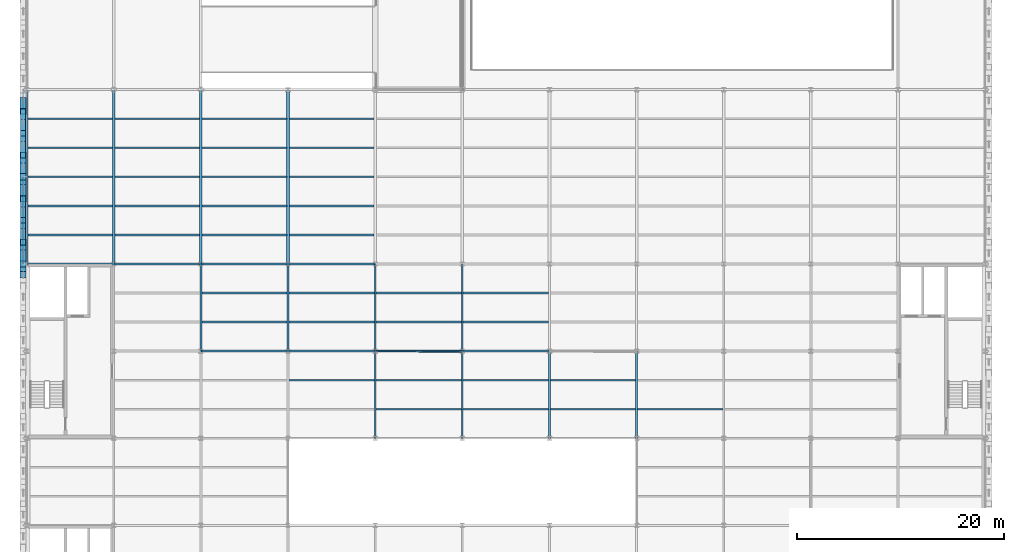
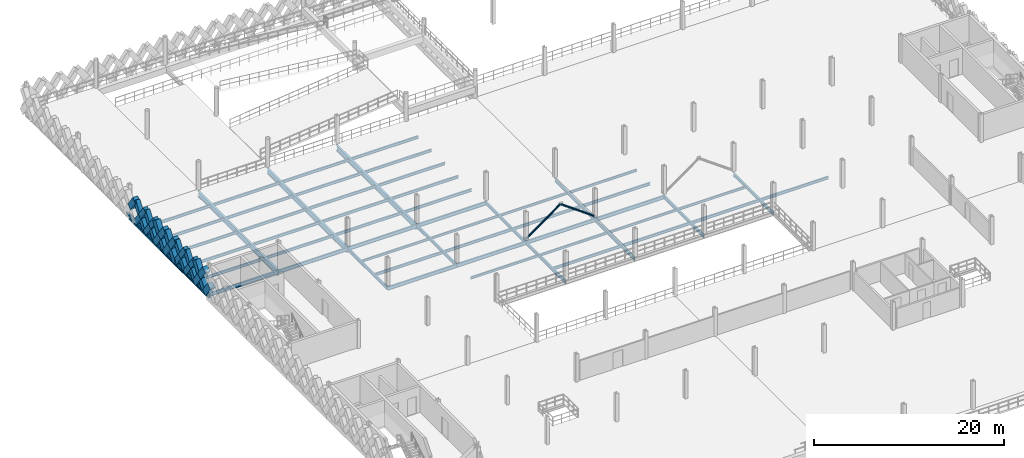
# One storey, part 28 of 79: 56 beams, 27 members.
"""IFC4 building model written with IfcOpenShell, lengths in metres."""

from ifc_helpers import new_model, si_unit, direction, frame, origin, origin_2d, place, context, subcontext, project, spatial, rectangle, hollow_rectangle, hollow_circle, i_section, extrude, material, material_profile, profile_set, type_object, element, save


model = new_model("IFC4")

# Units and contexts
model_context = context("Model", 3, precision=1e-05, world=origin(), true_north=direction((0.0, 1.0)))
body_context = subcontext(model_context, "Body", "Model", "MODEL_VIEW")
ifc_project = project(units=[si_unit("LENGTHUNIT", "METRE"), si_unit("AREAUNIT", "SQUARE_METRE"), si_unit("VOLUMEUNIT", "CUBIC_METRE"), si_unit("PLANEANGLEUNIT", "RADIAN"), si_unit("MASSUNIT", "GRAM", prefix="KILO"), si_unit("THERMODYNAMICTEMPERATUREUNIT", "KELVIN"), si_unit("POWERUNIT", "WATT")], contexts=[model_context])

# Site, building, storey
site_placement = place(None, origin())
site = spatial("IfcSite", under=ifc_project, at=site_placement, CompositionType="ELEMENT")
building_placement = place(site_placement, origin())
building = spatial("IfcBuilding", under=site, at=building_placement, Name="Tembeka Court Mobility Hub", CompositionType="ELEMENT")
storey_placement = place(building_placement, frame((0.0, 0.0, 9.0)))
storey = spatial("IfcBuildingStorey", under=building, at=storey_placement, Name="L02", CompositionType="ELEMENT", Elevation=9.0)

# Beams
ifc_material_1 = material(Name="Steel S355", Category="steel")
ifc_material_profile_1 = material_profile(ifc_material_1, i_section(OverallWidth=0.18994140625, OverallDepth=0.45703125, WebThickness=0.009033203125, FlangeThickness=0.014404296875, FilletRadius=0.01025390625, at=origin_2d()), Name="UKB 457x191x74")
ifc_profile_set_1 = profile_set([ifc_material_profile_1], Name="Steel S355")
beam_type_1 = type_object("IfcBeamType", Name="BM-B01", PredefinedType="BEAM", material=ifc_profile_set_1)
beam_1_placement = place(storey_placement, frame((16.800048828125, 72.0, -0.448486328125), z_axis=(1.0, 0.0, 0.0), x_axis=(0.0, 1.0, 0.0)))
element("IfcBeam", 1, at=beam_1_placement, inside=storey, type_object=beam_type_1, Name="Beam B01 (BM-L02-X1264)", PredefinedType="BEAM", context=body_context, shape_type="SweptSolid", body=[
    extrude(i_section(OverallWidth=0.18994140625, OverallDepth=0.45703125, WebThickness=0.009033203125, FlangeThickness=0.014404296875, FilletRadius=0.01025390625, at=origin_2d()), origin(), (0.0, 0.0, 1.0), 8.39990234375),
])
beam_2_placement = place(storey_placement, frame((25.199951171875, 72.0, -0.448486328125), z_axis=(1.0, 0.0, 0.0), x_axis=(0.0, 1.0, 0.0)))
element("IfcBeam", 2, at=beam_2_placement, inside=storey, type_object=beam_type_1, Name="Beam B01 (BM-L02-X1265)", PredefinedType="BEAM", context=body_context, shape_type="SweptSolid", body=[
    extrude(i_section(OverallWidth=0.18994140625, OverallDepth=0.45703125, WebThickness=0.009033203125, FlangeThickness=0.014404296875, FilletRadius=0.01025390625, at=origin_2d()), origin(), (0.0, 0.0, 1.0), 8.400146484375),
])
for number, where, z_axis, x_axis, name in (
    (3, (33.60009765625, 72.0, -0.448486328125), (1.0, 0.0, 0.0), (0.0, 1.0, 0.0), "Beam B01 (BM-L02-X1266)"),
    (4, (42.0, 72.0, -0.448486328125), (1.0, 0.0, 0.0), (0.0, 1.0, 0.0), "Beam B01 (BM-L02-X1267)"),
    (5, (0.0, 80.39990234375, -0.448486328125), (1.0, 0.0, 0.0), (0.0, 1.0, 0.0), "Beam B01 (BM-L02-X1272)"),
):
    element("IfcBeam", number, at=place(storey_placement, frame(where, z_axis=z_axis, x_axis=x_axis)), inside=storey, type_object=beam_type_1, Name=name, PredefinedType="BEAM", context=body_context, shape_type="SweptSolid", body=[
        extrude(i_section(OverallWidth=0.18994140625, OverallDepth=0.45703125, WebThickness=0.009033203125, FlangeThickness=0.014404296875, FilletRadius=0.01025390625, at=origin_2d()), origin(), (0.0, 0.0, 1.0), 8.39990234375),
    ])
beam_3_placement = place(storey_placement, frame((8.39990234375, 80.39990234375, -0.448486328125), z_axis=(1.0, 0.0, 0.0), x_axis=(0.0, 1.0, 0.0)))
element("IfcBeam", 6, at=beam_3_placement, inside=storey, type_object=beam_type_1, Name="Beam B01 (BM-L02-X1273)", PredefinedType="BEAM", context=body_context, shape_type="SweptSolid", body=[
    extrude(i_section(OverallWidth=0.18994140625, OverallDepth=0.45703125, WebThickness=0.009033203125, FlangeThickness=0.014404296875, FilletRadius=0.01025390625, at=origin_2d()), origin(), (0.0, 0.0, 1.0), 8.400146484375),
])
beam_4_placement = place(storey_placement, frame((16.800048828125, 80.39990234375, -0.448486328125), z_axis=(1.0, 0.0, 0.0), x_axis=(0.0, 1.0, 0.0)))
element("IfcBeam", 7, at=beam_4_placement, inside=storey, type_object=beam_type_1, Name="Beam B01 (BM-L02-X1274)", PredefinedType="BEAM", context=body_context, shape_type="SweptSolid", body=[
    extrude(i_section(OverallWidth=0.18994140625, OverallDepth=0.45703125, WebThickness=0.009033203125, FlangeThickness=0.014404296875, FilletRadius=0.01025390625, at=origin_2d()), origin(), (0.0, 0.0, 1.0), 8.39990234375),
])
beam_5_placement = place(storey_placement, frame((25.199951171875, 80.39990234375, -0.448486328125), z_axis=(1.0, 0.0, 0.0), x_axis=(0.0, 1.0, 0.0)))
element("IfcBeam", 8, at=beam_5_placement, inside=storey, type_object=beam_type_1, Name="Beam B01 (BM-L02-X1275)", PredefinedType="BEAM", context=body_context, shape_type="SweptSolid", body=[
    extrude(i_section(OverallWidth=0.18994140625, OverallDepth=0.45703125, WebThickness=0.009033203125, FlangeThickness=0.014404296875, FilletRadius=0.01025390625, at=origin_2d()), origin(), (0.0, 0.0, 1.0), 8.400146484375),
])
ifc_material_profile_2 = material_profile(ifc_material_1, i_section(OverallWidth=0.177978515625, OverallDepth=0.406005859375, WebThickness=0.0078125, FlangeThickness=0.0126953125, FilletRadius=0.01025390625, at=origin_2d()), Name="UKB 406x178x60")
ifc_profile_set_2 = profile_set([ifc_material_profile_2], Name="Steel S355")
beam_type_2 = type_object("IfcBeamType", Name="BM-B02", PredefinedType="BEAM", material=ifc_profile_set_2)
for number, where, z_axis, x_axis, name in (
    (9, (16.800048828125, 72.0, -0.423095703125), (0.0, 1.0, 0.0), (-1.0, 0.0, 0.0), "Beam B02 (BM-L02-Y1336)"),
    (10, (25.199951171875, 72.0, -0.423095703125), (0.0, 1.0, 0.0), (-1.0, 0.0, 0.0), "Beam B02 (BM-L02-Y1345)"),
    (11, (33.60009765625, 63.60009765625, -0.423095703125), (0.0, 1.0, 0.0), (-1.0, 0.0, 0.0), "Beam B02 (BM-L02-Y1350)"),
    (12, (33.60009765625, 72.0, -0.423095703125), (0.0, 1.0, 0.0), (-1.0, 0.0, 0.0), "Beam B02 (BM-L02-Y1351)"),
    (13, (42.0, 63.60009765625, -0.423095703125), (0.0, 1.0, 0.0), (-1.0, 0.0, 0.0), "Beam B02 (BM-L02-Y1358)"),
    (14, (42.0, 72.0, -0.423095703125), (0.0, 1.0, 0.0), (-1.0, 0.0, 0.0), "Beam B02 (BM-L02-Y1359)"),
    (15, (50.39990234375, 63.60009765625, -0.423095703125), (0.0, 1.0, 0.0), (-1.0, 0.0, 0.0), "Beam B02 (BM-L02-Y1366)"),
    (16, (58.800048828125, 63.60009765625, -0.423095703125), (0.0, 1.0, 0.0), (-1.0, 0.0, 0.0), "Beam B02 (BM-L02-Y1373)"),
):
    element("IfcBeam", number, at=place(storey_placement, frame(where, z_axis=z_axis, x_axis=x_axis)), inside=storey, type_object=beam_type_2, Name=name, PredefinedType="BEAM", context=body_context, shape_type="SweptSolid", body=[
        extrude(i_section(OverallWidth=0.177978515625, OverallDepth=0.406005859375, WebThickness=0.0078125, FlangeThickness=0.0126953125, FilletRadius=0.01025390625, at=origin_2d()), origin(), (0.0, 0.0, 1.0), 8.39990234375),
    ])
ifc_material_profile_3 = material_profile(ifc_material_1, i_section(OverallWidth=0.25390625, OverallDepth=0.68408203125, WebThickness=0.012451171875, FlangeThickness=0.01904296875, FilletRadius=0.01513671875, at=origin_2d()), Name="UKB 686x254x140")
ifc_profile_set_3 = profile_set([ifc_material_profile_3], Name="Steel S355")
beam_type_3 = type_object("IfcBeamType", Name="BM-G01", PredefinedType="USERDEFINED", material=ifc_profile_set_3)
for number, where, z_axis, x_axis, name in (
    (17, (0.0, 80.39990234375, -0.56201171875), (0.0, 1.0, 0.0), (-1.0, 0.0, 0.0), "Beam G01 (BM-L02-Y1315)"),
    (18, (8.39990234375, 80.39990234375, -0.592041015625), (0.0, 1.0, 0.0), (-1.0, 0.0, 0.0), "Beam G01 (BM-L02-Y1326)"),
    (19, (16.800048828125, 80.39990234375, -0.592041015625), (0.0, 1.0, 0.0), (-1.0, 0.0, 0.0), "Beam G01 (BM-L02-Y1337)"),
    (20, (25.199951171875, 80.39990234375, -0.56201171875), (0.0, 1.0, 0.0), (-1.0, 0.0, 0.0), "Beam G01 (BM-L02-Y1346)"),
):
    element("IfcBeam", number, at=place(storey_placement, frame(where, z_axis=z_axis, x_axis=x_axis)), inside=storey, type_object=beam_type_3, Name=name, ObjectType="GIRDER", PredefinedType="USERDEFINED", context=body_context, shape_type="SweptSolid", body=[
        extrude(i_section(OverallWidth=0.25390625, OverallDepth=0.68408203125, WebThickness=0.012451171875, FlangeThickness=0.01904296875, FilletRadius=0.01513671875, at=origin_2d()), origin(), (0.0, 0.0, 1.0), 16.800048828125),
    ])
ifc_material_profile_4 = material_profile(ifc_material_1, i_section(OverallWidth=0.172119140625, OverallDepth=0.35498046875, WebThickness=0.00732421875, FlangeThickness=0.011474609375, FilletRadius=0.01025390625, at=origin_2d()), Name="UKB 356x171x51")
ifc_profile_set_4 = profile_set([ifc_material_profile_4], Name="Steel S355")
beam_type_4 = type_object("IfcBeamType", Name="BM-J01", PredefinedType="JOIST", material=ifc_profile_set_4)
for number, where, z_axis, x_axis, name in (
    (21, (0.1220703125, 83.199951171875, -0.3974609375), (1.0, 0.0, 0.0), (0.0, 1.0, 0.0), "Beam J01 (JST-L02-1446)"),
    (22, (0.1220703125, 86.0, -0.3974609375), (1.0, 0.0, 0.0), (0.0, 1.0, 0.0), "Beam J01 (JST-L02-1447)"),
    (23, (0.1220703125, 88.800048828125, -0.3974609375), (1.0, 0.0, 0.0), (0.0, 1.0, 0.0), "Beam J01 (JST-L02-1448)"),
    (24, (0.1220703125, 91.60009765625, -0.3974609375), (1.0, 0.0, 0.0), (0.0, 1.0, 0.0), "Beam J01 (JST-L02-1449)"),
    (25, (0.1220703125, 94.39990234375, -0.3974609375), (1.0, 0.0, 0.0), (0.0, 1.0, 0.0), "Beam J01 (JST-L02-1450)"),
    (26, (8.52197265625, 83.199951171875, -0.3974609375), (1.0, 0.0, 0.0), (0.0, 1.0, 0.0), "Beam J01 (JST-L02-1466)"),
    (27, (8.52197265625, 86.0, -0.3974609375), (1.0, 0.0, 0.0), (0.0, 1.0, 0.0), "Beam J01 (JST-L02-1467)"),
    (28, (8.52197265625, 88.800048828125, -0.3974609375), (1.0, 0.0, 0.0), (0.0, 1.0, 0.0), "Beam J01 (JST-L02-1468)"),
    (29, (8.52197265625, 91.60009765625, -0.3974609375), (1.0, 0.0, 0.0), (0.0, 1.0, 0.0), "Beam J01 (JST-L02-1469)"),
    (30, (8.52197265625, 94.39990234375, -0.3974609375), (1.0, 0.0, 0.0), (0.0, 1.0, 0.0), "Beam J01 (JST-L02-1470)"),
):
    element("IfcBeam", number, at=place(storey_placement, frame(where, z_axis=z_axis, x_axis=x_axis)), inside=storey, type_object=beam_type_4, Name=name, PredefinedType="JOIST", context=body_context, shape_type="SweptSolid", body=[
        extrude(i_section(OverallWidth=0.172119140625, OverallDepth=0.35498046875, WebThickness=0.00732421875, FlangeThickness=0.011474609375, FilletRadius=0.01025390625, at=origin_2d()), origin(), (0.0, 0.0, 1.0), 8.156005859375),
    ])
for number, where, z_axis, x_axis, name in (
    (31, (16.922119140625, 83.199951171875, -0.3974609375), (1.0, 0.0, 0.0), (0.0, 1.0, 0.0), "Beam J01 (JST-L02-1486)"),
    (32, (16.922119140625, 86.0, -0.3974609375), (1.0, 0.0, 0.0), (0.0, 1.0, 0.0), "Beam J01 (JST-L02-1487)"),
    (33, (16.922119140625, 88.800048828125, -0.3974609375), (1.0, 0.0, 0.0), (0.0, 1.0, 0.0), "Beam J01 (JST-L02-1488)"),
    (34, (16.922119140625, 91.60009765625, -0.3974609375), (1.0, 0.0, 0.0), (0.0, 1.0, 0.0), "Beam J01 (JST-L02-1489)"),
    (35, (16.922119140625, 94.39990234375, -0.3974609375), (1.0, 0.0, 0.0), (0.0, 1.0, 0.0), "Beam J01 (JST-L02-1490)"),
):
    element("IfcBeam", number, at=place(storey_placement, frame(where, z_axis=z_axis, x_axis=x_axis)), inside=storey, type_object=beam_type_4, Name=name, PredefinedType="JOIST", context=body_context, shape_type="SweptSolid", body=[
        extrude(i_section(OverallWidth=0.172119140625, OverallDepth=0.35498046875, WebThickness=0.00732421875, FlangeThickness=0.011474609375, FilletRadius=0.01025390625, at=origin_2d()), origin(), (0.0, 0.0, 1.0), 8.15576171875),
    ])
for number, where, z_axis, x_axis, name in (
    (36, (25.322021484375, 83.199951171875, -0.3974609375), (1.0, 0.0, 0.0), (0.0, 1.0, 0.0), "Beam J01 (JST-L02-1504)"),
    (37, (25.322021484375, 86.0, -0.3974609375), (1.0, 0.0, 0.0), (0.0, 1.0, 0.0), "Beam J01 (JST-L02-1505)"),
    (38, (25.322021484375, 88.800048828125, -0.3974609375), (1.0, 0.0, 0.0), (0.0, 1.0, 0.0), "Beam J01 (JST-L02-1506)"),
    (39, (25.322021484375, 91.60009765625, -0.3974609375), (1.0, 0.0, 0.0), (0.0, 1.0, 0.0), "Beam J01 (JST-L02-1507)"),
    (40, (25.322021484375, 94.39990234375, -0.3974609375), (1.0, 0.0, 0.0), (0.0, 1.0, 0.0), "Beam J01 (JST-L02-1508)"),
):
    element("IfcBeam", number, at=place(storey_placement, frame(where, z_axis=z_axis, x_axis=x_axis)), inside=storey, type_object=beam_type_4, Name=name, PredefinedType="JOIST", context=body_context, shape_type="SweptSolid", body=[
        extrude(i_section(OverallWidth=0.172119140625, OverallDepth=0.35498046875, WebThickness=0.00732421875, FlangeThickness=0.011474609375, FilletRadius=0.01025390625, at=origin_2d()), origin(), (0.0, 0.0, 1.0), 8.156005859375),
    ])
ifc_material_profile_5 = material_profile(ifc_material_1, i_section(OverallWidth=0.1650390625, OverallDepth=0.303955078125, WebThickness=0.006103515625, FlangeThickness=0.01025390625, FilletRadius=0.0087890625, at=origin_2d()), Name="UKB 305x165x40")
ifc_profile_set_5 = profile_set([ifc_material_profile_5], Name="Steel S355")
beam_type_5 = type_object("IfcBeamType", Name="BM-J02", PredefinedType="JOIST", material=ifc_profile_set_5)
beam_6_placement = place(storey_placement, frame((16.884033203125, 77.60009765625, -0.3720703125), z_axis=(1.0, 0.0, 0.0), x_axis=(0.0, 1.0, 0.0)))
element("IfcBeam", 41, at=beam_6_placement, inside=storey, type_object=beam_type_5, Name="Beam J02 (JST-L02-1485)", PredefinedType="JOIST", context=body_context, shape_type="SweptSolid", body=[
    extrude(i_section(OverallWidth=0.1650390625, OverallDepth=0.303955078125, WebThickness=0.006103515625, FlangeThickness=0.01025390625, FilletRadius=0.0087890625, at=origin_2d()), origin(), (0.0, 0.0, 1.0), 8.23193359375),
])
for number, where, z_axis, x_axis, name in (
    (42, (25.283935546875, 69.199951171875, -0.3720703125), (1.0, 0.0, 0.0), (0.0, 1.0, 0.0), "Beam J02 (JST-L02-1501)"),
    (43, (25.283935546875, 77.60009765625, -0.3720703125), (1.0, 0.0, 0.0), (0.0, 1.0, 0.0), "Beam J02 (JST-L02-1503)"),
):
    element("IfcBeam", number, at=place(storey_placement, frame(where, z_axis=z_axis, x_axis=x_axis)), inside=storey, type_object=beam_type_5, Name=name, PredefinedType="JOIST", context=body_context, shape_type="SweptSolid", body=[
        extrude(i_section(OverallWidth=0.1650390625, OverallDepth=0.303955078125, WebThickness=0.006103515625, FlangeThickness=0.01025390625, FilletRadius=0.0087890625, at=origin_2d()), origin(), (0.0, 0.0, 1.0), 8.232177734375),
    ])
for number, where, z_axis, x_axis, name in (
    (44, (33.68408203125, 69.199951171875, -0.3720703125), (1.0, 0.0, 0.0), (0.0, 1.0, 0.0), "Beam J02 (JST-L02-1519)"),
    (45, (33.68408203125, 77.60009765625, -0.3720703125), (1.0, 0.0, 0.0), (0.0, 1.0, 0.0), "Beam J02 (JST-L02-1521)"),
    (46, (42.083984375, 69.199951171875, -0.3720703125), (1.0, 0.0, 0.0), (0.0, 1.0, 0.0), "Beam J02 (JST-L02-1537)"),
    (47, (42.083984375, 77.60009765625, -0.3720703125), (1.0, 0.0, 0.0), (0.0, 1.0, 0.0), "Beam J02 (JST-L02-1539)"),
):
    element("IfcBeam", number, at=place(storey_placement, frame(where, z_axis=z_axis, x_axis=x_axis)), inside=storey, type_object=beam_type_5, Name=name, PredefinedType="JOIST", context=body_context, shape_type="SweptSolid", body=[
        extrude(i_section(OverallWidth=0.1650390625, OverallDepth=0.303955078125, WebThickness=0.006103515625, FlangeThickness=0.01025390625, FilletRadius=0.0087890625, at=origin_2d()), origin(), (0.0, 0.0, 1.0), 8.23193359375),
    ])
beam_7_placement = place(storey_placement, frame((50.48388671875, 69.199951171875, -0.3720703125), z_axis=(1.0, 0.0, 0.0), x_axis=(0.0, 1.0, 0.0)))
element("IfcBeam", 48, at=beam_7_placement, inside=storey, type_object=beam_type_5, Name="Beam J02 (JST-L02-1555)", PredefinedType="JOIST", context=body_context, shape_type="SweptSolid", body=[
    extrude(i_section(OverallWidth=0.1650390625, OverallDepth=0.303955078125, WebThickness=0.006103515625, FlangeThickness=0.01025390625, FilletRadius=0.0087890625, at=origin_2d()), origin(), (0.0, 0.0, 1.0), 8.232177734375),
])
ifc_material_profile_6 = material_profile(ifc_material_1, i_section(OverallWidth=0.169921875, OverallDepth=0.360107421875, WebThickness=0.008056640625, FlangeThickness=0.0126953125, FilletRadius=0.01806640625, at=origin_2d()), Name="IPE 360")
ifc_profile_set_6 = profile_set([ifc_material_profile_6], Name="Steel S355")
beam_type_6 = type_object("IfcBeamType", Name="BM-J03", PredefinedType="JOIST", material=ifc_profile_set_6)
beam_8_placement = place(storey_placement, frame((16.884033203125, 74.800048828125, -0.39990234375), z_axis=(1.0, 0.0, 0.0), x_axis=(0.0, 1.0, 0.0)))
element("IfcBeam", 49, at=beam_8_placement, inside=storey, type_object=beam_type_6, Name="Beam J03 (JST-L02-1484)", PredefinedType="JOIST", context=body_context, shape_type="SweptSolid", body=[
    extrude(i_section(OverallWidth=0.169921875, OverallDepth=0.360107421875, WebThickness=0.008056640625, FlangeThickness=0.0126953125, FilletRadius=0.01806640625, at=origin_2d()), origin(), (0.0, 0.0, 1.0), 8.23193359375),
])
beam_9_placement = place(storey_placement, frame((25.283935546875, 74.800048828125, -0.39990234375), z_axis=(1.0, 0.0, 0.0), x_axis=(0.0, 1.0, 0.0)))
element("IfcBeam", 50, at=beam_9_placement, inside=storey, type_object=beam_type_6, Name="Beam J03 (JST-L02-1502)", PredefinedType="JOIST", context=body_context, shape_type="SweptSolid", body=[
    extrude(i_section(OverallWidth=0.169921875, OverallDepth=0.360107421875, WebThickness=0.008056640625, FlangeThickness=0.0126953125, FilletRadius=0.01806640625, at=origin_2d()), origin(), (0.0, 0.0, 1.0), 8.232177734375),
])
for number, where, z_axis, x_axis, name in (
    (51, (33.68408203125, 66.39990234375, -0.39990234375), (1.0, 0.0, 0.0), (0.0, 1.0, 0.0), "Beam J03 (JST-L02-1518)"),
    (52, (33.68408203125, 74.800048828125, -0.39990234375), (1.0, 0.0, 0.0), (0.0, 1.0, 0.0), "Beam J03 (JST-L02-1520)"),
    (53, (42.083984375, 66.39990234375, -0.39990234375), (1.0, 0.0, 0.0), (0.0, 1.0, 0.0), "Beam J03 (JST-L02-1536)"),
    (54, (42.083984375, 74.800048828125, -0.39990234375), (1.0, 0.0, 0.0), (0.0, 1.0, 0.0), "Beam J03 (JST-L02-1538)"),
):
    element("IfcBeam", number, at=place(storey_placement, frame(where, z_axis=z_axis, x_axis=x_axis)), inside=storey, type_object=beam_type_6, Name=name, PredefinedType="JOIST", context=body_context, shape_type="SweptSolid", body=[
        extrude(i_section(OverallWidth=0.169921875, OverallDepth=0.360107421875, WebThickness=0.008056640625, FlangeThickness=0.0126953125, FilletRadius=0.01806640625, at=origin_2d()), origin(), (0.0, 0.0, 1.0), 8.23193359375),
    ])
beam_10_placement = place(storey_placement, frame((50.48388671875, 66.39990234375, -0.39990234375), z_axis=(1.0, 0.0, 0.0), x_axis=(0.0, 1.0, 0.0)))
element("IfcBeam", 55, at=beam_10_placement, inside=storey, type_object=beam_type_6, Name="Beam J03 (JST-L02-1554)", PredefinedType="JOIST", context=body_context, shape_type="SweptSolid", body=[
    extrude(i_section(OverallWidth=0.169921875, OverallDepth=0.360107421875, WebThickness=0.008056640625, FlangeThickness=0.0126953125, FilletRadius=0.01806640625, at=origin_2d()), origin(), (0.0, 0.0, 1.0), 8.232177734375),
])
beam_11_placement = place(storey_placement, frame((58.884033203125, 66.39990234375, -0.39990234375), z_axis=(1.0, 0.0, 0.0), x_axis=(0.0, 1.0, 0.0)))
element("IfcBeam", 56, at=beam_11_placement, inside=storey, type_object=beam_type_6, Name="Beam J03 (JST-L02-1574)", PredefinedType="JOIST", context=body_context, shape_type="SweptSolid", body=[
    extrude(i_section(OverallWidth=0.169921875, OverallDepth=0.360107421875, WebThickness=0.008056640625, FlangeThickness=0.0126953125, FilletRadius=0.01806640625, at=origin_2d()), origin(), (0.0, 0.0, 1.0), 8.23193359375),
])

# Members
ifc_material_profile_7 = material_profile(ifc_material_1, hollow_circle(Radius=0.109619140625, WallThickness=0.010009765625, at=origin_2d()), Name="CHS 219.1x10")
ifc_profile_set_7 = profile_set([ifc_material_profile_7], Name="Steel S355")
member_type_1 = type_object("IfcMemberType", Name="MEM-BR01", PredefinedType="BRACE", material=ifc_profile_set_7)
for number, where, z_axis, x_axis, name in (
    (57, (33.60009765625, 72.0, 0.02001953125), (0.81097870636, 0.0, 0.585075668466), (0.0, 1.0, 0.0), "Steel chevron brace BR01 (L02-3A)"),
    (58, (42.0, 72.0, 0.02001953125), (-0.81097870636, 0.0, 0.585075668466), (0.0, -1.0, 0.0), "Steel chevron brace BR01 (L02-3B)"),
):
    element("IfcMember", number, at=place(storey_placement, frame(where, z_axis=z_axis, x_axis=x_axis)), inside=storey, type_object=member_type_1, Name=name, PredefinedType="BRACE", context=body_context, shape_type="SweptSolid", body=[
        extrude(hollow_circle(Radius=0.109619140625, WallThickness=0.010009765625, at=origin_2d()), origin(), (0.0, 0.0, 1.0), 5.178955078125),
    ])
ifc_material_2 = material(Name="Precast concrete C45/55", Category="concrete")
ifc_material_profile_8 = material_profile(ifc_material_2, rectangle(XDim=0.5, YDim=0.64990234375, at=origin_2d()), Name="PC-DIAG 500x650")
ifc_profile_set_8 = profile_set([ifc_material_profile_8], Name="Precast concrete C45/55")
member_type_2 = type_object("IfcMemberType", Name="MEM-DL01", PredefinedType="BRACE", material=ifc_profile_set_8)
member_1_placement = place(storey_placement, frame((-0.340087890625, 82.5, 0.02001953125), z_axis=(0.0, 0.582576362011, 0.812775973086), x_axis=(-1.0, 0.0, 0.0)))
element("IfcMember", 59, at=member_1_placement, inside=storey, type_object=member_type_2, Name="Precast diamond lattice continuous strand DL01 (L02-316C)", PredefinedType="BRACE", context=body_context, shape_type="SweptSolid", body=[
    extrude(rectangle(XDim=0.5, YDim=0.64990234375, at=origin_2d()), origin(), (0.0, 0.0, 1.0), 3.604736328125),
])
member_2_placement = place(storey_placement, frame((-0.340087890625, 84.60009765625, 0.02001953125), z_axis=(0.0, -0.582544294934, 0.812798956963), x_axis=(1.0, 0.0, 0.0)))
element("IfcMember", 60, at=member_2_placement, inside=storey, type_object=member_type_2, Name="Precast diamond lattice split lower strand DL01 (L02-316D1)", PredefinedType="BRACE", context=body_context, shape_type="SweptSolid", body=[
    extrude(rectangle(XDim=0.5, YDim=0.64990234375, at=origin_2d()), origin(), (0.0, 0.0, 1.0), 1.802490234375),
])
member_3_placement = place(storey_placement, frame((-0.340087890625, 83.550048828125, 1.485107421875), z_axis=(0.0, -0.582608431711, 0.812752985414), x_axis=(1.0, 0.0, 0.0)))
element("IfcMember", 61, at=member_3_placement, inside=storey, type_object=member_type_2, Name="Precast diamond lattice split upper strand DL01 (L02-316D2)", PredefinedType="BRACE", context=body_context, shape_type="SweptSolid", body=[
    extrude(rectangle(XDim=0.5, YDim=0.64990234375, at=origin_2d()), origin(), (0.0, 0.0, 1.0), 1.80224609375),
])
member_4_placement = place(storey_placement, frame((-0.340087890625, 84.60009765625, 0.02001953125), z_axis=(0.0, 0.58253161945, 0.812808041509), x_axis=(-1.0, 0.0, 0.0)))
element("IfcMember", 62, at=member_4_placement, inside=storey, type_object=member_type_2, Name="Precast diamond lattice continuous strand DL01 (L02-317C)", PredefinedType="BRACE", context=body_context, shape_type="SweptSolid", body=[
    extrude(rectangle(XDim=0.5, YDim=0.64990234375, at=origin_2d()), origin(), (0.0, 0.0, 1.0), 3.604736328125),
])
member_5_placement = place(storey_placement, frame((-0.340087890625, 86.699951171875, 0.02001953125), z_axis=(0.0, -0.582544294934, 0.812798956963), x_axis=(1.0, 0.0, 0.0)))
element("IfcMember", 63, at=member_5_placement, inside=storey, type_object=member_type_2, Name="Precast diamond lattice split lower strand DL01 (L02-317D1)", PredefinedType="BRACE", context=body_context, shape_type="SweptSolid", body=[
    extrude(rectangle(XDim=0.5, YDim=0.64990234375, at=origin_2d()), origin(), (0.0, 0.0, 1.0), 1.802490234375),
])
member_6_placement = place(storey_placement, frame((-0.340087890625, 85.64990234375, 1.485107421875), z_axis=(0.0, -0.582518941428, 0.812817127574), x_axis=(1.0, 0.0, 0.0)))
element("IfcMember", 64, at=member_6_placement, inside=storey, type_object=member_type_2, Name="Precast diamond lattice split upper strand DL01 (L02-317D2)", PredefinedType="BRACE", context=body_context, shape_type="SweptSolid", body=[
    extrude(rectangle(XDim=0.5, YDim=0.64990234375, at=origin_2d()), origin(), (0.0, 0.0, 1.0), 1.80224609375),
])
member_7_placement = place(storey_placement, frame((-0.340087890625, 90.89990234375, 0.02001953125), z_axis=(0.0, 0.582576362011, 0.812775973086), x_axis=(-1.0, 0.0, 0.0)))
element("IfcMember", 65, at=member_7_placement, inside=storey, type_object=member_type_2, Name="Precast diamond lattice continuous strand DL01 (L02-320C)", PredefinedType="BRACE", context=body_context, shape_type="SweptSolid", body=[
    extrude(rectangle(XDim=0.5, YDim=0.64990234375, at=origin_2d()), origin(), (0.0, 0.0, 1.0), 3.604736328125),
])
member_8_placement = place(storey_placement, frame((-0.340087890625, 93.0, 0.02001953125), z_axis=(0.0, -0.582544294934, 0.812798956963), x_axis=(1.0, 0.0, 0.0)))
element("IfcMember", 66, at=member_8_placement, inside=storey, type_object=member_type_2, Name="Precast diamond lattice split lower strand DL01 (L02-320D1)", PredefinedType="BRACE", context=body_context, shape_type="SweptSolid", body=[
    extrude(rectangle(XDim=0.5, YDim=0.64990234375, at=origin_2d()), origin(), (0.0, 0.0, 1.0), 1.802490234375),
])
member_9_placement = place(storey_placement, frame((-0.340087890625, 91.949951171875, 1.485107421875), z_axis=(0.0, -0.582608431711, 0.812752985414), x_axis=(1.0, 0.0, 0.0)))
element("IfcMember", 67, at=member_9_placement, inside=storey, type_object=member_type_2, Name="Precast diamond lattice split upper strand DL01 (L02-320D2)", PredefinedType="BRACE", context=body_context, shape_type="SweptSolid", body=[
    extrude(rectangle(XDim=0.5, YDim=0.64990234375, at=origin_2d()), origin(), (0.0, 0.0, 1.0), 1.80224609375),
])
member_10_placement = place(storey_placement, frame((-0.340087890625, 93.0, 0.02001953125), z_axis=(0.0, 0.582576362011, 0.812775973086), x_axis=(-1.0, 0.0, 0.0)))
element("IfcMember", 68, at=member_10_placement, inside=storey, type_object=member_type_2, Name="Precast diamond lattice continuous strand DL01 (L02-321C)", PredefinedType="BRACE", context=body_context, shape_type="SweptSolid", body=[
    extrude(rectangle(XDim=0.5, YDim=0.64990234375, at=origin_2d()), origin(), (0.0, 0.0, 1.0), 3.604736328125),
])
member_11_placement = place(storey_placement, frame((-0.340087890625, 95.10009765625, 0.02001953125), z_axis=(0.0, -0.582544294934, 0.812798956963), x_axis=(1.0, 0.0, 0.0)))
element("IfcMember", 69, at=member_11_placement, inside=storey, type_object=member_type_2, Name="Precast diamond lattice split lower strand DL01 (L02-321D1)", PredefinedType="BRACE", context=body_context, shape_type="SweptSolid", body=[
    extrude(rectangle(XDim=0.5, YDim=0.64990234375, at=origin_2d()), origin(), (0.0, 0.0, 1.0), 1.802490234375),
])
member_12_placement = place(storey_placement, frame((-0.340087890625, 94.050048828125, 1.485107421875), z_axis=(0.0, -0.582608431711, 0.812752985414), x_axis=(1.0, 0.0, 0.0)))
element("IfcMember", 70, at=member_12_placement, inside=storey, type_object=member_type_2, Name="Precast diamond lattice split upper strand DL01 (L02-321D2)", PredefinedType="BRACE", context=body_context, shape_type="SweptSolid", body=[
    extrude(rectangle(XDim=0.5, YDim=0.64990234375, at=origin_2d()), origin(), (0.0, 0.0, 1.0), 1.80224609375),
])
ifc_material_profile_9 = material_profile(ifc_material_2, rectangle(XDim=0.60009765625, YDim=0.75, at=origin_2d()), Name="PC-DIAG 600x750")
ifc_profile_set_9 = profile_set([ifc_material_profile_9], Name="Precast concrete C45/55")
member_type_3 = type_object("IfcMemberType", Name="MEM-DL02", PredefinedType="BRACE", material=ifc_profile_set_9)
member_13_placement = place(storey_placement, frame((-0.340087890625, 80.39990234375, 0.02001953125), z_axis=(0.0, -0.582454804382, 0.812863088627), x_axis=(1.0, 0.0, 0.0)))
element("IfcMember", 71, at=member_13_placement, inside=storey, type_object=member_type_3, Name="Precast diamond lattice split lower strand DL02 (L02-314D1)", PredefinedType="BRACE", context=body_context, shape_type="SweptSolid", body=[
    extrude(rectangle(XDim=0.60009765625, YDim=0.75, at=origin_2d()), origin(), (0.0, 0.0, 1.0), 1.802490234375),
])
member_14_placement = place(storey_placement, frame((-0.340087890625, 80.39990234375, 0.02001953125), z_axis=(0.0, 0.582576362011, 0.812775973086), x_axis=(-1.0, 0.0, 0.0)))
element("IfcMember", 72, at=member_14_placement, inside=storey, type_object=member_type_3, Name="Precast diamond lattice continuous strand DL02 (L02-315C)", PredefinedType="BRACE", context=body_context, shape_type="SweptSolid", body=[
    extrude(rectangle(XDim=0.60009765625, YDim=0.75, at=origin_2d()), origin(), (0.0, 0.0, 1.0), 3.604736328125),
])
member_15_placement = place(storey_placement, frame((-0.340087890625, 82.5, 0.02001953125), z_axis=(0.0, -0.582544294934, 0.812798956963), x_axis=(1.0, 0.0, 0.0)))
element("IfcMember", 73, at=member_15_placement, inside=storey, type_object=member_type_3, Name="Precast diamond lattice split lower strand DL02 (L02-315D1)", PredefinedType="BRACE", context=body_context, shape_type="SweptSolid", body=[
    extrude(rectangle(XDim=0.60009765625, YDim=0.75, at=origin_2d()), origin(), (0.0, 0.0, 1.0), 1.802490234375),
])
member_16_placement = place(storey_placement, frame((-0.340087890625, 81.449951171875, 1.485107421875), z_axis=(0.0, -0.582608431711, 0.812752985414), x_axis=(1.0, 0.0, 0.0)))
element("IfcMember", 74, at=member_16_placement, inside=storey, type_object=member_type_3, Name="Precast diamond lattice split upper strand DL02 (L02-315D2)", PredefinedType="BRACE", context=body_context, shape_type="SweptSolid", body=[
    extrude(rectangle(XDim=0.60009765625, YDim=0.75, at=origin_2d()), origin(), (0.0, 0.0, 1.0), 1.80224609375),
])
member_17_placement = place(storey_placement, frame((-0.340087890625, 86.699951171875, 0.02001953125), z_axis=(0.0, 0.582576362011, 0.812775973086), x_axis=(-1.0, 0.0, 0.0)))
element("IfcMember", 75, at=member_17_placement, inside=storey, type_object=member_type_3, Name="Precast diamond lattice continuous strand DL02 (L02-318C)", PredefinedType="BRACE", context=body_context, shape_type="SweptSolid", body=[
    extrude(rectangle(XDim=0.60009765625, YDim=0.75, at=origin_2d()), origin(), (0.0, 0.0, 1.0), 3.604736328125),
])
member_18_placement = place(storey_placement, frame((-0.340087890625, 88.800048828125, 0.02001953125), z_axis=(0.0, -0.582544294934, 0.812798956963), x_axis=(1.0, 0.0, 0.0)))
element("IfcMember", 76, at=member_18_placement, inside=storey, type_object=member_type_3, Name="Precast diamond lattice split lower strand DL02 (L02-318D1)", PredefinedType="BRACE", context=body_context, shape_type="SweptSolid", body=[
    extrude(rectangle(XDim=0.60009765625, YDim=0.75, at=origin_2d()), origin(), (0.0, 0.0, 1.0), 1.802490234375),
])
member_19_placement = place(storey_placement, frame((-0.340087890625, 87.75, 1.485107421875), z_axis=(0.0, -0.582608431711, 0.812752985414), x_axis=(1.0, 0.0, 0.0)))
element("IfcMember", 77, at=member_19_placement, inside=storey, type_object=member_type_3, Name="Precast diamond lattice split upper strand DL02 (L02-318D2)", PredefinedType="BRACE", context=body_context, shape_type="SweptSolid", body=[
    extrude(rectangle(XDim=0.60009765625, YDim=0.75, at=origin_2d()), origin(), (0.0, 0.0, 1.0), 1.80224609375),
])
member_20_placement = place(storey_placement, frame((-0.340087890625, 88.800048828125, 0.02001953125), z_axis=(0.0, 0.58253161945, 0.812808041509), x_axis=(-1.0, 0.0, 0.0)))
element("IfcMember", 78, at=member_20_placement, inside=storey, type_object=member_type_3, Name="Precast diamond lattice continuous strand DL02 (L02-319C)", PredefinedType="BRACE", context=body_context, shape_type="SweptSolid", body=[
    extrude(rectangle(XDim=0.60009765625, YDim=0.75, at=origin_2d()), origin(), (0.0, 0.0, 1.0), 3.604736328125),
])
member_21_placement = place(storey_placement, frame((-0.340087890625, 90.89990234375, 0.02001953125), z_axis=(0.0, -0.582454804382, 0.812863088627), x_axis=(1.0, 0.0, 0.0)))
element("IfcMember", 79, at=member_21_placement, inside=storey, type_object=member_type_3, Name="Precast diamond lattice split lower strand DL02 (L02-319D1)", PredefinedType="BRACE", context=body_context, shape_type="SweptSolid", body=[
    extrude(rectangle(XDim=0.60009765625, YDim=0.75, at=origin_2d()), origin(), (0.0, 0.0, 1.0), 1.802490234375),
])
for number, where, z_axis, x_axis, name in (
    (80, (-0.340087890625, 89.85009765625, 1.485107421875), (0.0, -0.582608431711, 0.812752985414), (1.0, 0.0, 0.0), "Precast diamond lattice split upper strand DL02 (L02-319D2)"),
    (81, (-0.340087890625, 96.14990234375, 1.485107421875), (0.0, -0.582518941428, 0.812817127574), (1.0, 0.0, 0.0), "Precast diamond lattice split upper strand DL02 (L02-322D2)"),
):
    element("IfcMember", number, at=place(storey_placement, frame(where, z_axis=z_axis, x_axis=x_axis)), inside=storey, type_object=member_type_3, Name=name, PredefinedType="BRACE", context=body_context, shape_type="SweptSolid", body=[
        extrude(rectangle(XDim=0.60009765625, YDim=0.75, at=origin_2d()), origin(), (0.0, 0.0, 1.0), 1.80224609375),
    ])
ifc_material_profile_10 = material_profile(ifc_material_1, hollow_rectangle(XDim=0.14990234375, YDim=0.300048828125, WallThickness=0.010009765625, at=origin_2d()), Name="RHS 300x150x10")
ifc_profile_set_10 = profile_set([ifc_material_profile_10], Name="Steel S355")
member_type_4 = type_object("IfcMemberType", Name="MEM-ST03", PredefinedType="STRUT", material=ifc_profile_set_10)
member_22_placement = place(storey_placement, frame((-0.340087890625, 80.39990234375, 0.02001953125), z_axis=(0.0, 1.0, 0.0), x_axis=(-1.0, 0.0, 0.0)))
element("IfcMember", 82, at=member_22_placement, inside=storey, type_object=member_type_4, Name="Proud lattice sill tie chord SR03 (L02-W-80)", PredefinedType="STRUT", context=body_context, shape_type="SweptSolid", body=[
    extrude(hollow_rectangle(XDim=0.14990234375, YDim=0.300048828125, WallThickness=0.010009765625, at=origin_2d()), origin(), (0.0, 0.0, 1.0), 8.400146484375),
])
member_23_placement = place(storey_placement, frame((-0.340087890625, 88.800048828125, 0.02001953125), z_axis=(0.0, 1.0, 0.0), x_axis=(-1.0, 0.0, 0.0)))
element("IfcMember", 83, at=member_23_placement, inside=storey, type_object=member_type_4, Name="Proud lattice sill tie chord SR03 (L02-W-88)", PredefinedType="STRUT", context=body_context, shape_type="SweptSolid", body=[
    extrude(hollow_rectangle(XDim=0.14990234375, YDim=0.300048828125, WallThickness=0.010009765625, at=origin_2d()), origin(), (0.0, 0.0, 1.0), 8.39990234375),
])

save(model, "model.ifc")
